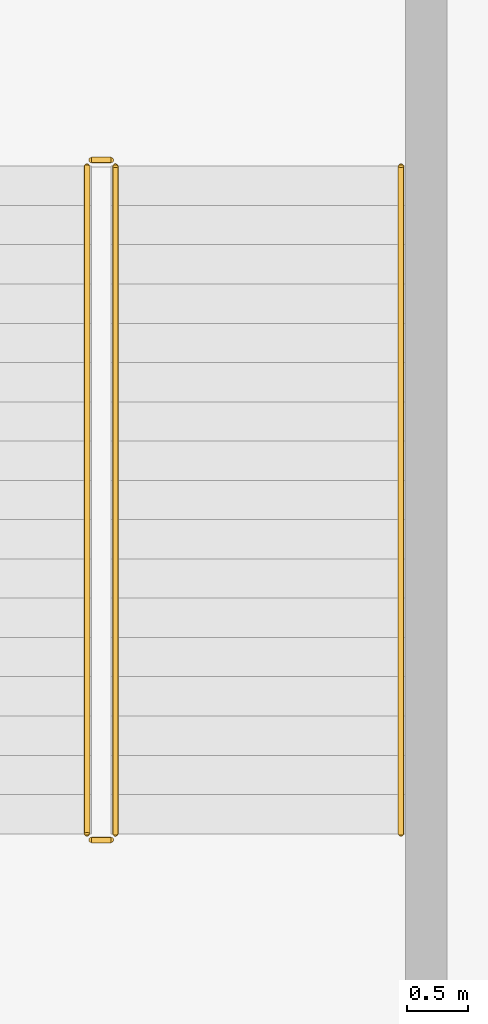
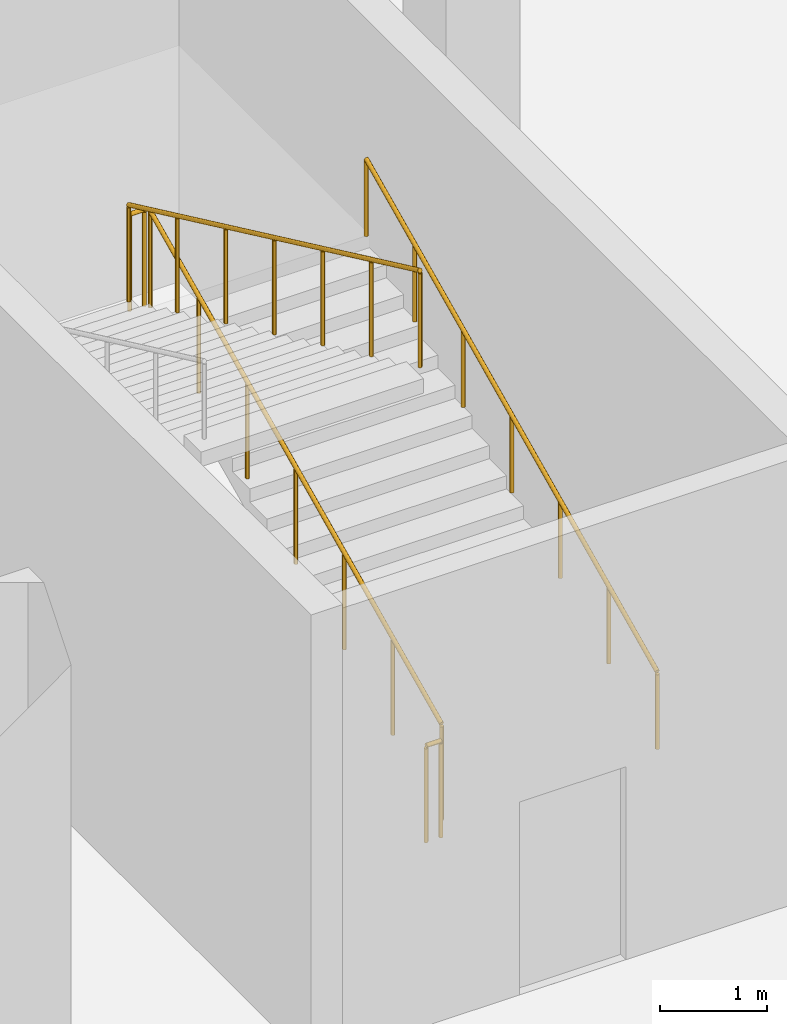
# One storey, part 132 of 137: 5 railings.
"""IFC4 building model written with IfcOpenShell, lengths in metres."""

from ifc_helpers import new_model, si_unit, direction, frame, origin, origin_2d, place, context, subcontext, project, spatial, circle, extrude, material, layer, layer_set, type_object, element, save


model = new_model("IFC4")

# Units and contexts
model_context = context("Model", 3, precision=1e-05, world=origin(), true_north=direction((0.0, 1.0)))
body_context = subcontext(model_context, "Body", "Model", "MODEL_VIEW")
ifc_project = project(units=[si_unit("LENGTHUNIT", "METRE"), si_unit("AREAUNIT", "SQUARE_METRE"), si_unit("VOLUMEUNIT", "CUBIC_METRE"), si_unit("PLANEANGLEUNIT", "RADIAN"), si_unit("MASSUNIT", "GRAM", prefix="KILO")], contexts=[model_context])

# Site, building, storey
site_placement = place(None, origin())
site = spatial("IfcSite", under=ifc_project, at=site_placement, CompositionType="ELEMENT")
building_placement = place(site_placement, origin())
building = spatial("IfcBuilding", under=site, at=building_placement, Name="Celestram Park Convention Centre", CompositionType="ELEMENT")
storey_placement = place(building_placement, origin())
storey = spatial("IfcBuildingStorey", under=building, at=storey_placement, Name="L00", CompositionType="ELEMENT", Elevation=0.0)

# Railings
ifc_material_1 = material(Name="Stainless Steel AISI 316L & Laminated Glass", Category="steel")
ifc_layer_1 = layer(ifc_material_1, 0.06005859375)
ifc_layer_set_1 = layer_set([ifc_layer_1], Name="Stainless Steel AISI 316L & Laminated Glass")
railing_type_1 = type_object("IfcRailingType", Name="ARC-RL-GRD1120", PredefinedType="GUARDRAIL", material=ifc_layer_set_1)
railing_1_placement = place(storey_placement, frame((113.43603515625, 152.60009765625, 0.14990234375)))
element("IfcRailing", 1, at=railing_1_placement, inside=storey, type_object=railing_type_1, Name="L00 ST-16 stair guard 1", PredefinedType="GUARDRAIL", context=body_context, shape_type="SweptSolid", body=[
    extrude(circle(Radius=0.02392578125, at=origin_2d()), frame((0.0, 0.0, 1.09619140625), z_axis=(0.0, 0.90545405566, 0.424444287379), x_axis=(-1.0, 0.0, 0.0)), (0.0, 0.0, 1.0), 6.008056640625),
    extrude(circle(Radius=0.02099609375, at=origin_2d()), origin(), (0.0, 0.0, 1.0), 1.072021484375),
    extrude(circle(Radius=0.02099609375, at=origin_2d()), frame((0.0, 0.90673828125, 0.425048828125)), (0.0, 0.0, 1.0), 1.072021484375),
    extrude(circle(Radius=0.02099609375, at=origin_2d()), frame((0.0, 1.813232421875, 0.85009765625)), (0.0, 0.0, 1.0), 1.072021484375),
    extrude(circle(Radius=0.02099609375, at=origin_2d()), frame((0.0, 2.719970703125, 1.27490234375)), (0.0, 0.0, 1.0), 1.072021484375),
    extrude(circle(Radius=0.02099609375, at=origin_2d()), frame((0.0, 3.626708984375, 1.699951171875)), (0.0, 0.0, 1.0), 1.072021484375),
    extrude(circle(Radius=0.02099609375, at=origin_2d()), frame((0.0, 4.533203125, 2.125)), (0.0, 0.0, 1.0), 1.072021484375),
    extrude(circle(Radius=0.02099609375, at=origin_2d()), frame((0.0, 5.43994140625, 2.550048828125)), (0.0, 0.0, 1.0), 1.072021484375),
])
railing_2_placement = place(storey_placement, frame((113.39990234375, 158.090087890625, 2.699951171875)))
element("IfcRailing", 2, at=railing_2_placement, inside=storey, type_object=railing_type_1, Name="L00 ST-16 stair guard 2", PredefinedType="GUARDRAIL", context=body_context, shape_type="SweptSolid", body=[
    extrude(circle(Radius=0.02392578125, at=origin_2d()), frame((0.0, 0.0, 1.09619140625), z_axis=(-1.0, 0.0, 0.0), x_axis=(0.0, -1.0, 0.0)), (0.0, 0.0, 1.0), 0.159912109375),
    extrude(circle(Radius=0.02099609375, at=origin_2d()), origin(), (0.0, 0.0, 1.0), 1.072021484375),
    extrude(circle(Radius=0.02099609375, at=origin_2d()), frame((-0.159912109375, 0.0, 0.0)), (0.0, 0.0, 1.0), 1.072021484375),
])
railing_3_placement = place(storey_placement, frame((113.2041015625, 158.0400390625, 2.85009765625)))
element("IfcRailing", 3, at=railing_3_placement, inside=storey, type_object=railing_type_1, Name="L00 ST-16 stair guard 3", PredefinedType="GUARDRAIL", context=body_context, shape_type="SweptSolid", body=[
    extrude(circle(Radius=0.02392578125, at=origin_2d()), frame((0.0, 0.0, 1.09619140625), z_axis=(0.0, -0.90546967238, 0.424410971113), x_axis=(1.0, 0.0, 0.0)), (0.0, 0.0, 1.0), 6.0078125),
    extrude(circle(Radius=0.02099609375, at=origin_2d()), origin(), (0.0, 0.0, 1.0), 1.072021484375),
    extrude(circle(Radius=0.02099609375, at=origin_2d()), frame((0.0, -0.90673828125, 0.425048828125)), (0.0, 0.0, 1.0), 1.072021484375),
    extrude(circle(Radius=0.02099609375, at=origin_2d()), frame((0.0, -1.813232421875, 0.849853515625)), (0.0, 0.0, 1.0), 1.072021484375),
    extrude(circle(Radius=0.02099609375, at=origin_2d()), frame((0.0, -2.719970703125, 1.27490234375)), (0.0, 0.0, 1.0), 1.072021484375),
    extrude(circle(Radius=0.02099609375, at=origin_2d()), frame((0.0, -3.626708984375, 1.699951171875)), (0.0, 0.0, 1.0), 1.072021484375),
    extrude(circle(Radius=0.02099609375, at=origin_2d()), frame((0.0, -4.533203125, 2.124755859375)), (0.0, 0.0, 1.0), 1.072021484375),
    extrude(circle(Radius=0.02099609375, at=origin_2d()), frame((0.0, -5.43994140625, 2.5498046875)), (0.0, 0.0, 1.0), 1.072021484375),
])
railing_4_placement = place(storey_placement, frame((113.39990234375, 152.550048828125, 0.0)))
element("IfcRailing", 4, at=railing_4_placement, inside=storey, type_object=railing_type_1, Name="L00 ST-16 stair guard 4", PredefinedType="GUARDRAIL", context=body_context, shape_type="SweptSolid", body=[
    extrude(circle(Radius=0.02392578125, at=origin_2d()), frame((0.0, 0.0, 1.09619140625), z_axis=(-1.0, 0.0, 0.0), x_axis=(0.0, -1.0, 0.0)), (0.0, 0.0, 1.0), 0.159912109375),
    extrude(circle(Radius=0.02099609375, at=origin_2d()), origin(), (0.0, 0.0, 1.0), 1.072021484375),
    extrude(circle(Radius=0.02099609375, at=origin_2d()), frame((-0.159912109375, 0.0, 0.0)), (0.0, 0.0, 1.0), 1.072021484375),
])
ifc_material_2 = material(Name="Brushed Stainless Steel AISI 304", Category="steel")
ifc_layer_2 = layer(ifc_material_2, 0.048095703125)
ifc_layer_set_2 = layer_set([ifc_layer_2], Name="Brushed Stainless Steel AISI 304")
railing_type_2 = type_object("IfcRailingType", Name="ARC-RL-HND915", PredefinedType="HANDRAIL", material=ifc_layer_set_2)
railing_5_placement = place(storey_placement, frame((115.763916015625, 152.60009765625, 0.14990234375)))
element("IfcRailing", 5, at=railing_5_placement, inside=storey, type_object=railing_type_2, Name="L00 ST-16 stair handrail 1", PredefinedType="HANDRAIL", context=body_context, shape_type="SweptSolid", body=[
    extrude(circle(Radius=0.02392578125, at=origin_2d()), frame((0.0, 0.0, 0.8759765625), z_axis=(0.0, 0.90545405566, 0.424444287379), x_axis=(-1.0, 0.0, 0.0)), (0.0, 0.0, 1.0), 6.008056640625),
    extrude(circle(Radius=0.02099609375, at=origin_2d()), origin(), (0.0, 0.0, 1.0), 0.851806640625),
    extrude(circle(Radius=0.02099609375, at=origin_2d()), frame((0.0, 0.90673828125, 0.425048828125)), (0.0, 0.0, 1.0), 0.851806640625),
    extrude(circle(Radius=0.02099609375, at=origin_2d()), frame((0.0, 1.813232421875, 0.85009765625)), (0.0, 0.0, 1.0), 0.851806640625),
    extrude(circle(Radius=0.02099609375, at=origin_2d()), frame((0.0, 2.719970703125, 1.27490234375)), (0.0, 0.0, 1.0), 0.851806640625),
    extrude(circle(Radius=0.02099609375, at=origin_2d()), frame((0.0, 3.626708984375, 1.699951171875)), (0.0, 0.0, 1.0), 0.851806640625),
    extrude(circle(Radius=0.02099609375, at=origin_2d()), frame((0.0, 4.533203125, 2.125)), (0.0, 0.0, 1.0), 0.851806640625),
    extrude(circle(Radius=0.02099609375, at=origin_2d()), frame((0.0, 5.43994140625, 2.550048828125)), (0.0, 0.0, 1.0), 0.851806640625),
])

save(model, "model.ifc")
